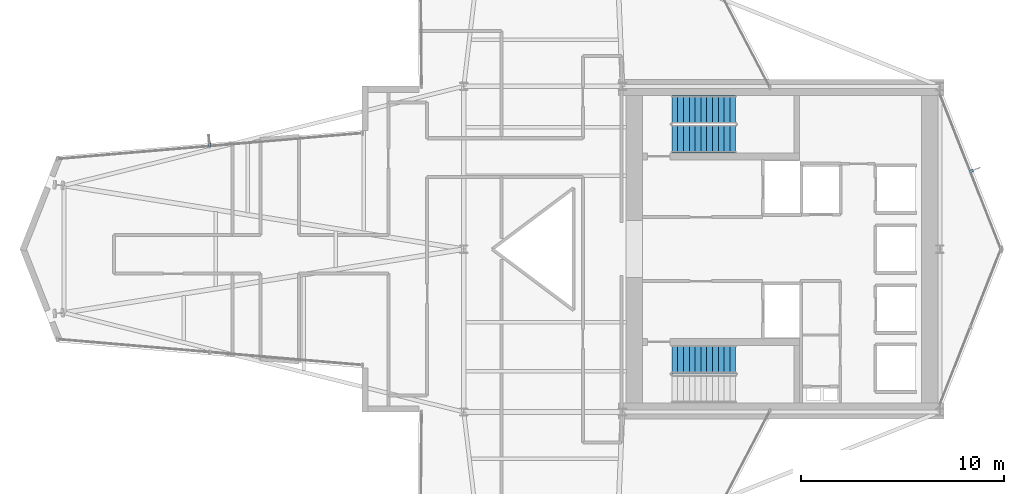
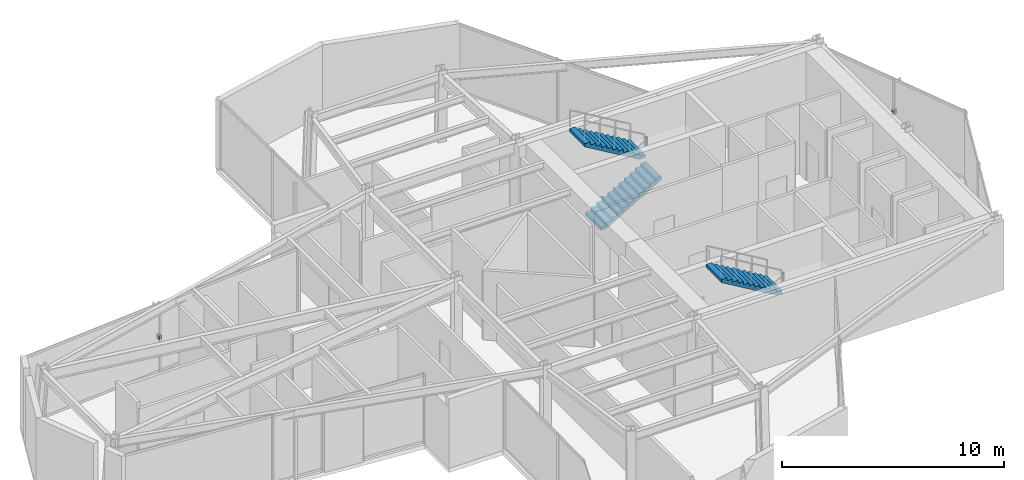
# One storey, part 24 of 25: 3 stair flights, 2 discrete accessories, 2 elements without a shape of their own.
"""IFC4 building model written with IfcOpenShell, lengths in metres."""

from ifc_helpers import new_model, si_unit, direction, frame, origin, origin_2d, place, context, subcontext, project, spatial, polyline, rectangle, outline, extrude, material, layer, layer_set, type_object, element, aggregate, save


model = new_model("IFC4")

# Units and contexts
model_context = context("Model", 3, precision=1e-05, world=origin(), true_north=direction((0.0, 1.0)))
body_context = subcontext(model_context, "Body", "Model", "MODEL_VIEW")
ifc_project = project(units=[si_unit("LENGTHUNIT", "METRE"), si_unit("AREAUNIT", "SQUARE_METRE"), si_unit("VOLUMEUNIT", "CUBIC_METRE"), si_unit("PLANEANGLEUNIT", "RADIAN"), si_unit("MASSUNIT", "GRAM", prefix="KILO")], contexts=[model_context])

# Site, building, storey
site_placement = place(None, origin())
site = spatial("IfcSite", under=ifc_project, at=site_placement, CompositionType="ELEMENT")
building_placement = place(site_placement, origin())
building = spatial("IfcBuilding", under=site, at=building_placement, Name="Veymaron Broadcast Tower", CompositionType="ELEMENT")
storey_placement = place(building_placement, frame((0.0, 0.0, 149.25)))
storey = spatial("IfcBuildingStorey", under=building, at=storey_placement, Name="L34", CompositionType="ELEMENT", Elevation=149.25)

# Stair, stair flights
ifc_material_1 = material(Name="Concrete C50/60", Category="concrete")
stair_type_1 = type_object("IfcStairType", Name="STAIR-CORE-1", PredefinedType="HALF_TURN_STAIR", material=ifc_material_1)
stair_1_placement = place(storey_placement, origin())
stair_1 = element("IfcStair", 1, at=stair_1_placement, inside=storey, type_object=stair_type_1, Name="L34 North protected dog-leg exit stair ST1", PredefinedType="HALF_TURN_STAIR")
ifc_material_2 = material(Name="Precast concrete C50/60", Category="concrete")
stair_flight_type = type_object("IfcStairFlightType", Name="FLT-CORE-RC", PredefinedType="STRAIGHT", material=ifc_material_2)
stair_flight_1_placement = place(storey_placement, frame((41.429931640625, 29.419921875, 0.0), z_axis=(0.0, 0.0, 1.0), x_axis=(1.0, 0.0, 0.0)))
stair_flight_1 = element("IfcStairFlight", 2, at=stair_flight_1_placement, type_object=stair_flight_type, Name="ST1 flight 1", NumberOfRisers=12, NumberOfTreads=11, PredefinedType="STRAIGHT", RiserHeight=0.16875, TreadLength=0.285, context=body_context, shape_type="SweptSolid", body=[
    extrude(outline(polyline([(0.0, 0.0), (0.0, 0.168701171875), (0.284912109375, 0.168701171875), (0.284912109375, 0.33740234375), (0.570068359375, 0.33740234375), (0.570068359375, 0.50634765625), (0.85498046875, 0.50634765625), (0.85498046875, 0.675048828125), (1.139892578125, 0.675048828125), (1.139892578125, 0.84375), (1.425048828125, 0.84375), (1.425048828125, 1.012451171875), (1.7099609375, 1.012451171875), (1.7099609375, 1.18115234375), (1.9951171875, 1.18115234375), (1.9951171875, 1.35009765625), (2.280029296875, 1.35009765625), (2.280029296875, 1.518798828125), (2.56494140625, 1.518798828125), (2.56494140625, 1.6875), (2.85009765625, 1.6875), (2.85009765625, 1.856201171875), (3.135009765625, 1.856201171875), (3.135009765625, 2.02490234375), (3.135009765625, 1.68212890625), (0.294189453125, 0.0), (0.0, 0.0)])), frame((0.0, 0.68994140625, 0.0), z_axis=(0.0, -1.0, 0.0), x_axis=(1.0, 0.0, 0.0)), (0.0, 0.0, 1.0), 1.3798828125),
])
stair_flight_2_placement = place(storey_placement, frame((44.56494140625, 30.860107421875, 2.02490234375), z_axis=(0.0, 0.0, 1.0), x_axis=(-1.0, 0.0, 0.0)))
stair_flight_2 = element("IfcStairFlight", 3, at=stair_flight_2_placement, type_object=stair_flight_type, Name="ST1 flight 2", NumberOfRisers=12, NumberOfTreads=11, PredefinedType="STRAIGHT", RiserHeight=0.16875, TreadLength=0.285, context=body_context, shape_type="SweptSolid", body=[
    extrude(outline(polyline([(0.0, 0.0), (0.0, 0.168701171875), (0.284912109375, 0.168701171875), (0.284912109375, 0.33740234375), (0.570068359375, 0.33740234375), (0.570068359375, 0.50634765625), (0.85498046875, 0.50634765625), (0.85498046875, 0.675048828125), (1.139892578125, 0.675048828125), (1.139892578125, 0.84375), (1.425048828125, 0.84375), (1.425048828125, 1.012451171875), (1.7099609375, 1.012451171875), (1.7099609375, 1.18115234375), (1.9951171875, 1.18115234375), (1.9951171875, 1.35009765625), (2.280029296875, 1.35009765625), (2.280029296875, 1.518798828125), (2.56494140625, 1.518798828125), (2.56494140625, 1.6875), (2.85009765625, 1.6875), (2.85009765625, 1.856201171875), (3.135009765625, 1.856201171875), (3.135009765625, 2.02490234375), (3.135009765625, 1.68212890625), (0.294189453125, 0.0), (0.0, 0.0)])), frame((0.0, 0.68994140625, 0.0), z_axis=(0.0, -1.0, 0.0), x_axis=(1.0, 0.0, 0.0)), (0.0, 0.0, 1.0), 1.3798828125),
])
aggregate(stair_1, [stair_flight_1, stair_flight_2])

# Stair, stair flight
stair_type_2 = type_object("IfcStairType", Name="STAIR-CORE-2", PredefinedType="HALF_TURN_STAIR", material=ifc_material_1)
stair_2_placement = place(storey_placement, origin())
stair_2 = element("IfcStair", 4, at=stair_2_placement, inside=storey, type_object=stair_type_2, Name="L34 South protected dog-leg exit stair ST2", PredefinedType="HALF_TURN_STAIR")
stair_flight_3_placement = place(storey_placement, frame((44.56494140625, 18.580078125, 2.02490234375), z_axis=(0.0, 0.0, 1.0), x_axis=(-1.0, 0.0, 0.0)))
stair_flight_3 = element("IfcStairFlight", 5, at=stair_flight_3_placement, type_object=stair_flight_type, Name="ST2 flight 2", NumberOfRisers=12, NumberOfTreads=11, PredefinedType="STRAIGHT", RiserHeight=0.16875, TreadLength=0.285, context=body_context, shape_type="SweptSolid", body=[
    extrude(outline(polyline([(0.0, 0.0), (0.0, 0.168701171875), (0.284912109375, 0.168701171875), (0.284912109375, 0.33740234375), (0.570068359375, 0.33740234375), (0.570068359375, 0.50634765625), (0.85498046875, 0.50634765625), (0.85498046875, 0.675048828125), (1.139892578125, 0.675048828125), (1.139892578125, 0.84375), (1.425048828125, 0.84375), (1.425048828125, 1.012451171875), (1.7099609375, 1.012451171875), (1.7099609375, 1.18115234375), (1.9951171875, 1.18115234375), (1.9951171875, 1.35009765625), (2.280029296875, 1.35009765625), (2.280029296875, 1.518798828125), (2.56494140625, 1.518798828125), (2.56494140625, 1.6875), (2.85009765625, 1.6875), (2.85009765625, 1.856201171875), (3.135009765625, 1.856201171875), (3.135009765625, 2.02490234375), (3.135009765625, 1.68212890625), (0.294189453125, 0.0), (0.0, 0.0)])), frame((0.0, 0.68994140625, 0.0), z_axis=(0.0, -1.0, 0.0), x_axis=(1.0, 0.0, 0.0)), (0.0, 0.0, 1.0), 1.3798828125),
])
aggregate(stair_2, [stair_flight_3])

# Discrete accessories
ifc_material_3 = material(Name="Austenitic stainless steel AISI 316L", Category="steel")
ifc_layer = layer(ifc_material_3, 0.1201171875)
ifc_layer_set = layer_set([ifc_layer], Name="Austenitic stainless steel AISI 316L")
discrete_accessory_type = type_object("IfcDiscreteAccessoryType", Name="ACC-BRKT-SS1", PredefinedType="BRACKET", material=ifc_layer_set)
for number, where, z_axis, x_axis, name in (
    (6, (56.150146484375, 27.844482421875, 1.794921875), (0.0, 0.0, 1.0), (0.930468732137, 0.366371312352, 0.0), "CW-L34-E3-1 fin bracket 1"),
    (7, (18.706787109375, 29.1220703125, 1.794921875), (0.0, 0.0, 1.0), (-0.084512633776, 0.996422407783, 0.0), "CW-L34-E11-1 fin bracket 1"),
):
    element("IfcDiscreteAccessory", number, at=place(storey_placement, frame(where, z_axis=z_axis, x_axis=x_axis)), inside=storey, type_object=discrete_accessory_type, Name=name, PredefinedType="BRACKET", context=body_context, shape_type="SweptSolid", body=[
        extrude(rectangle(XDim=0.219970703125, YDim=0.139892578125, at=origin_2d()), origin(), (0.0, 0.0, 1.0), 0.219970703125),
    ])

save(model, "model.ifc")
